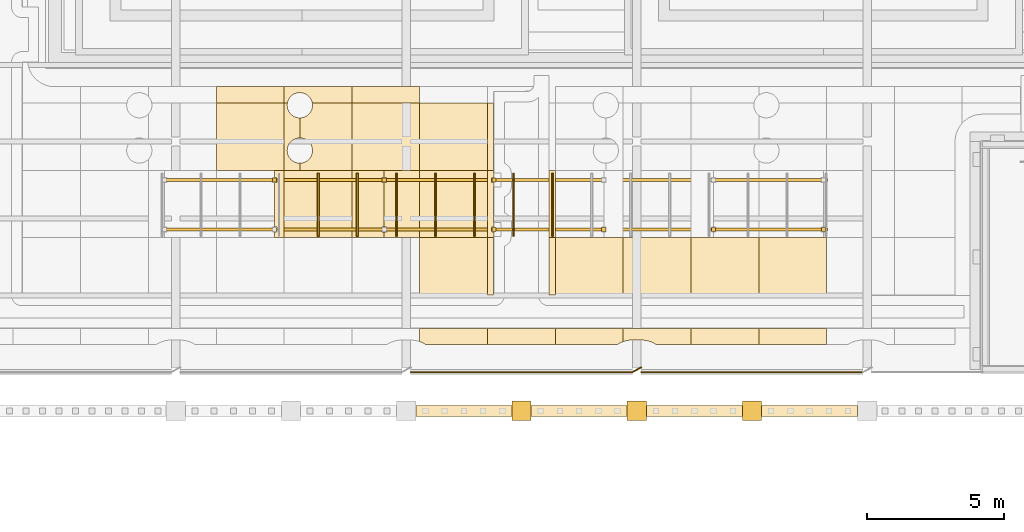
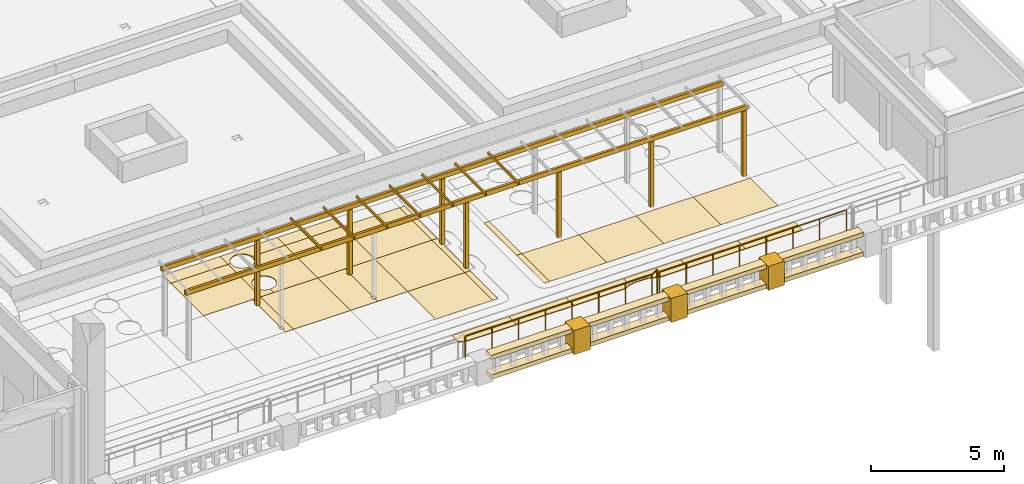
# One storey, part 70 of 76: 56 coverings, 3 railings.
"""IFC4 building model written with IfcOpenShell, lengths in metres."""

from ifc_helpers import new_model, si_unit, direction, frame, origin, origin_2d, place, context, subcontext, project, spatial, polyline, rectangle, circle, outline, extrude, material, layer, layer_set, type_object, element, save


model = new_model("IFC4")

# Units and contexts
model_context = context("Model", 3, precision=1e-05, world=origin(), true_north=direction((0.0, 1.0)))
body_context = subcontext(model_context, "Body", "Model", "MODEL_VIEW")
ifc_project = project(units=[si_unit("LENGTHUNIT", "METRE"), si_unit("AREAUNIT", "SQUARE_METRE"), si_unit("VOLUMEUNIT", "CUBIC_METRE"), si_unit("PLANEANGLEUNIT", "RADIAN"), si_unit("MASSUNIT", "GRAM", prefix="KILO")], contexts=[model_context])

# Site, building, storey
site_placement = place(None, origin())
site = spatial("IfcSite", under=ifc_project, at=site_placement, CompositionType="ELEMENT")
building_placement = place(site_placement, origin())
building = spatial("IfcBuilding", under=site, at=building_placement, Name="Sava Quay Ferry Terminal", CompositionType="ELEMENT")
storey_placement = place(building_placement, frame((0.0, 0.0, 6.0)))
storey = spatial("IfcBuildingStorey", under=building, at=storey_placement, Name="L01", CompositionType="ELEMENT", Elevation=6.0)

# Coverings
ifc_material_1 = material(Name="Limestone Mutalj", Category="masonry")
ifc_layer_1 = layer(ifc_material_1, 0.699951171875)
ifc_layer_set_1 = layer_set([ifc_layer_1], Name="Limestone Mutalj")
covering_type_1 = type_object("IfcCoveringType", Name="Balustrade pier 700", PredefinedType="MOLDING", material=ifc_layer_set_1)
for number, where, z_axis, x_axis, name in (
    (1, (147.0, 23.7900390625, 0.0), (0.0, 0.0, 1.0), (1.0, 0.0, 0.0), "Balustrade pier"),
    (2, (151.199951171875, 23.7900390625, 0.0), (0.0, 0.0, 1.0), (1.0, 0.0, 0.0), "Balustrade pier"),
    (3, (155.39990234375, 23.7900390625, 0.0), (0.0, 0.0, 1.0), (1.0, 0.0, 0.0), "Balustrade pier"),
):
    element("IfcCovering", number, at=place(storey_placement, frame(where, z_axis=z_axis, x_axis=x_axis)), inside=storey, type_object=covering_type_1, Name=name, PredefinedType="MOLDING", context=body_context, shape_type="SweptSolid", body=[
        extrude(rectangle(XDim=0.699951171875, YDim=0.699951171875, at=origin_2d()), origin(), (0.0, 0.0, 1.0), 1.10009765625),
    ])
ifc_material_2 = material(Name="Limestone Mutalj", Category="masonry")
ifc_layer_2 = layer(ifc_material_2, 0.39990234375)
ifc_layer_set_2 = layer_set([ifc_layer_2], Name="Limestone Mutalj")
covering_type_2 = type_object("IfcCoveringType", Name="Balustrade rail 400", PredefinedType="MOLDING", material=ifc_layer_set_2)
for number, where, z_axis, x_axis, name in (
    (4, (144.89990234375, 23.7900390625, 0.0), (0.0, 0.0, 1.0), (1.0, 0.0, 0.0), "Balustrade rail"),
    (5, (144.89990234375, 23.7900390625, 0.89990234375), (0.0, 0.0, 1.0), (1.0, 0.0, 0.0), "Balustrade rail"),
    (6, (149.10009765625, 23.7900390625, 0.0), (0.0, 0.0, 1.0), (1.0, 0.0, 0.0), "Balustrade rail"),
    (7, (149.10009765625, 23.7900390625, 0.89990234375), (0.0, 0.0, 1.0), (1.0, 0.0, 0.0), "Balustrade rail"),
    (8, (153.300048828125, 23.7900390625, 0.0), (0.0, 0.0, 1.0), (1.0, 0.0, 0.0), "Balustrade rail"),
    (9, (153.300048828125, 23.7900390625, 0.89990234375), (0.0, 0.0, 1.0), (1.0, 0.0, 0.0), "Balustrade rail"),
    (10, (157.5, 23.7900390625, 0.0), (0.0, 0.0, 1.0), (1.0, 0.0, 0.0), "Balustrade rail"),
    (11, (157.5, 23.7900390625, 0.89990234375), (0.0, 0.0, 1.0), (1.0, 0.0, 0.0), "Balustrade rail"),
):
    element("IfcCovering", number, at=place(storey_placement, frame(where, z_axis=z_axis, x_axis=x_axis)), inside=storey, type_object=covering_type_2, Name=name, PredefinedType="MOLDING", context=body_context, shape_type="SweptSolid", body=[
        extrude(rectangle(XDim=3.5, YDim=0.39990234375, at=origin_2d()), origin(), (0.0, 0.0, 1.0), 0.199951171875),
    ])
ifc_material_3 = material(Name="Limestone Mutalj", Category="masonry")
ifc_layer_3 = layer(ifc_material_3, 0.030029296875)
ifc_layer_set_3 = layer_set([ifc_layer_3], Name="Limestone Mutalj")
covering_type_3 = type_object("IfcCoveringType", Name="Court paving tile 30", PredefinedType="FLOORING", material=ifc_layer_set_3)
covering_1_placement = place(storey_placement, origin())
element("IfcCovering", 12, at=covering_1_placement, inside=storey, type_object=covering_type_3, Name="Limestone paving tile", PredefinedType="FLOORING", context=body_context, shape_type="SweptSolid", body=[
    extrude(outline(polyline([(138.35302734375, 32.550048828125), (138.0, 32.550048828125), (138.0, 32.284912109375), (138.075927734375, 32.284912109375), (138.0810546875, 32.282958984375), (138.083984375, 32.280029296875), (138.0849609375, 32.27490234375), (138.0849609375, 32.125), (138.0830078125, 32.118896484375), (138.075927734375, 32.114990234375), (138.0, 32.114990234375), (138.0, 30.485107421875), (138.075927734375, 30.485107421875), (138.0810546875, 30.48291015625), (138.083984375, 30.47998046875), (138.0849609375, 30.47509765625), (138.0849609375, 30.324951171875), (138.0830078125, 30.319091796875), (138.075927734375, 30.31494140625), (138.0, 30.31494140625), (138.0, 30.10009765625), (138.35302734375, 30.10009765625), (138.35302734375, 32.550048828125)])), origin(), (0.0, 0.0, 1.0), 0.030029296875),
])
covering_2_placement = place(storey_placement, origin())
element("IfcCovering", 13, at=covering_2_placement, inside=storey, type_object=covering_type_3, Name="Limestone paving tile", PredefinedType="FLOORING", context=body_context, shape_type="SweptSolid", body=[
    extrude(outline(polyline([(138.35302734375, 35.0), (138.35302734375, 35.60009765625), (135.882080078125, 35.60009765625), (135.882080078125, 35.0), (138.35302734375, 35.0)])), origin(), (0.0, 0.0, 1.0), 0.030029296875),
])
covering_3_placement = place(storey_placement, origin())
element("IfcCovering", 14, at=covering_3_placement, inside=storey, type_object=covering_type_3, Name="Limestone paving tile", PredefinedType="FLOORING", context=body_context, shape_type="SweptSolid", body=[
    extrude(outline(polyline([(138.35302734375, 32.550048828125), (138.925048828125, 32.550048828125), (138.925048828125, 32.81494140625), (138.87890625, 32.81689453125), (138.8349609375, 32.823974609375), (138.791015625, 32.8349609375), (138.7490234375, 32.85009765625), (138.7080078125, 32.8701171875), (138.6689453125, 32.89306640625), (138.633056640625, 32.919921875), (138.59912109375, 32.949951171875), (138.569091796875, 32.98388671875), (138.5419921875, 33.02001953125), (138.51904296875, 33.05908203125), (138.5, 33.09912109375), (138.485107421875, 33.14208984375), (138.47412109375, 33.18603515625), (138.467041015625, 33.22998046875), (138.465087890625, 33.27490234375), (138.467041015625, 33.321044921875), (138.47412109375, 33.364990234375), (138.485107421875, 33.408935546875), (138.5, 33.450927734375), (138.52001953125, 33.491943359375), (138.54296875, 33.531005859375), (138.570068359375, 33.56689453125), (138.60009765625, 33.60107421875), (138.634033203125, 33.631103515625), (138.669921875, 33.657958984375), (138.708984375, 33.680908203125), (138.7490234375, 33.699951171875), (138.7919921875, 33.715087890625), (138.8359375, 33.72607421875), (138.8798828125, 33.73291015625), (138.925048828125, 33.735107421875), (138.925048828125, 34.465087890625), (138.87890625, 34.467041015625), (138.8349609375, 34.47412109375), (138.791015625, 34.485107421875), (138.7490234375, 34.5), (138.7080078125, 34.52001953125), (138.6689453125, 34.54296875), (138.634033203125, 34.569091796875), (138.60009765625, 34.59912109375), (138.570068359375, 34.633056640625), (138.54296875, 34.6689453125), (138.51904296875, 34.708984375), (138.5, 34.7490234375), (138.485107421875, 34.7919921875), (138.47412109375, 34.8359375), (138.467041015625, 34.8798828125), (138.465087890625, 34.925048828125), (138.467041015625, 34.969970703125), (138.471923828125, 35.0), (138.35302734375, 35.0), (138.35302734375, 32.550048828125)])), origin(), (0.0, 0.0, 1.0), 0.030029296875),
])
covering_4_placement = place(storey_placement, origin())
element("IfcCovering", 15, at=covering_4_placement, inside=storey, type_object=covering_type_3, Name="Limestone paving tile", PredefinedType="FLOORING", context=body_context, shape_type="SweptSolid", body=[
    extrude(outline(polyline([(140.823974609375, 32.550048828125), (140.823974609375, 35.0), (139.3779296875, 35.0), (139.383056640625, 34.969970703125), (139.385009765625, 34.925048828125), (139.383056640625, 34.8798828125), (139.3759765625, 34.8359375), (139.364990234375, 34.7919921875), (139.35009765625, 34.7490234375), (139.3310546875, 34.708984375), (139.306884765625, 34.6689453125), (139.280029296875, 34.633056640625), (139.25, 34.59912109375), (139.216064453125, 34.569091796875), (139.180908203125, 34.54296875), (139.14208984375, 34.52001953125), (139.10107421875, 34.5), (139.05908203125, 34.485107421875), (139.014892578125, 34.47412109375), (138.970947265625, 34.467041015625), (138.925048828125, 34.465087890625), (138.925048828125, 33.735107421875), (138.970947265625, 33.73291015625), (139.014892578125, 33.72607421875), (139.05908203125, 33.715087890625), (139.10107421875, 33.699951171875), (139.14208984375, 33.679931640625), (139.180908203125, 33.656982421875), (139.217041015625, 33.6298828125), (139.2509765625, 33.60009765625), (139.281005859375, 33.56591796875), (139.30810546875, 33.530029296875), (139.3310546875, 33.490966796875), (139.35009765625, 33.450927734375), (139.364990234375, 33.407958984375), (139.3759765625, 33.364013671875), (139.383056640625, 33.320068359375), (139.385009765625, 33.27490234375), (139.383056640625, 33.22900390625), (139.3759765625, 33.18505859375), (139.364990234375, 33.14111328125), (139.35009765625, 33.09912109375), (139.330078125, 33.05810546875), (139.306884765625, 33.01904296875), (139.280029296875, 32.98291015625), (139.25, 32.948974609375), (139.216064453125, 32.9189453125), (139.179931640625, 32.89208984375), (139.14111328125, 32.868896484375), (139.10107421875, 32.85009765625), (139.05810546875, 32.8349609375), (139.013916015625, 32.823974609375), (138.969970703125, 32.81689453125), (138.925048828125, 32.81494140625), (138.925048828125, 32.550048828125), (140.823974609375, 32.550048828125)])), origin(), (0.0, 0.0, 1.0), 0.030029296875),
])
covering_5_placement = place(storey_placement, origin())
element("IfcCovering", 16, at=covering_5_placement, inside=storey, type_object=covering_type_3, Name="Limestone paving tile", PredefinedType="FLOORING", context=body_context, shape_type="SweptSolid", body=[
    extrude(outline(polyline([(140.823974609375, 32.550048828125), (140.823974609375, 30.10009765625), (142.0, 30.10009765625), (142.0, 30.31494140625), (141.924072265625, 30.31494140625), (141.9189453125, 30.31689453125), (141.916015625, 30.320068359375), (141.9150390625, 30.324951171875), (141.9150390625, 30.47509765625), (141.9169921875, 30.48095703125), (141.924072265625, 30.485107421875), (142.0, 30.485107421875), (142.0, 32.114990234375), (141.924072265625, 32.114990234375), (141.9189453125, 32.116943359375), (141.916015625, 32.1201171875), (141.9150390625, 32.125), (141.9150390625, 32.27490234375), (141.9169921875, 32.281005859375), (141.924072265625, 32.284912109375), (142.0, 32.284912109375), (142.0, 32.550048828125), (140.823974609375, 32.550048828125)])), origin(), (0.0, 0.0, 1.0), 0.030029296875),
])
covering_6_placement = place(storey_placement, origin())
element("IfcCovering", 17, at=covering_6_placement, inside=storey, type_object=covering_type_3, Name="Limestone paving tile", PredefinedType="FLOORING", context=body_context, shape_type="SweptSolid", body=[
    extrude(outline(polyline([(143.2939453125, 32.550048828125), (142.0, 32.550048828125), (142.0, 32.284912109375), (142.075927734375, 32.284912109375), (142.0810546875, 32.282958984375), (142.083984375, 32.280029296875), (142.0849609375, 32.27490234375), (142.0849609375, 32.125), (142.0830078125, 32.118896484375), (142.075927734375, 32.114990234375), (142.0, 32.114990234375), (142.0, 30.485107421875), (142.075927734375, 30.485107421875), (142.0810546875, 30.48291015625), (142.083984375, 30.47998046875), (142.0849609375, 30.47509765625), (142.0849609375, 30.324951171875), (142.0830078125, 30.319091796875), (142.075927734375, 30.31494140625), (142.0, 30.31494140625), (142.0, 30.10009765625), (143.2939453125, 30.10009765625), (143.2939453125, 32.550048828125)])), origin(), (0.0, 0.0, 1.0), 0.030029296875),
])
covering_7_placement = place(storey_placement, origin())
element("IfcCovering", 18, at=covering_7_placement, inside=storey, type_object=covering_type_3, Name="Limestone paving tile", PredefinedType="FLOORING", context=body_context, shape_type="SweptSolid", body=[
    extrude(outline(polyline([(143.2939453125, 35.0), (143.2939453125, 35.60009765625), (140.823974609375, 35.60009765625), (140.823974609375, 35.0), (143.2939453125, 35.0)])), origin(), (0.0, 0.0, 1.0), 0.030029296875),
])
covering_8_placement = place(storey_placement, origin())
element("IfcCovering", 19, at=covering_8_placement, inside=storey, type_object=covering_type_3, Name="Limestone paving tile", PredefinedType="FLOORING", context=body_context, shape_type="SweptSolid", body=[
    extrude(outline(polyline([(143.2939453125, 30.10009765625), (143.2939453125, 28.010009765625), (145.764892578125, 28.010009765625), (145.764892578125, 30.10009765625), (143.2939453125, 30.10009765625)])), origin(), (0.0, 0.0, 1.0), 0.030029296875),
])
covering_9_placement = place(storey_placement, origin())
element("IfcCovering", 20, at=covering_9_placement, inside=storey, type_object=covering_type_3, Name="Limestone paving tile", PredefinedType="FLOORING", context=body_context, shape_type="SweptSolid", body=[
    extrude(outline(polyline([(143.2939453125, 32.550048828125), (145.764892578125, 32.550048828125), (145.764892578125, 35.0), (143.2939453125, 35.0), (143.2939453125, 32.550048828125)])), origin(), (0.0, 0.0, 1.0), 0.030029296875),
])
covering_10_placement = place(storey_placement, origin())
element("IfcCovering", 21, at=covering_10_placement, inside=storey, type_object=covering_type_3, Name="Limestone paving tile", PredefinedType="FLOORING", context=body_context, shape_type="SweptSolid", body=[
    extrude(outline(polyline([(148.235107421875, 26.199951171875), (148.235107421875, 26.7900390625), (145.764892578125, 26.7900390625), (145.764892578125, 26.199951171875), (148.235107421875, 26.199951171875)])), origin(), (0.0, 0.0, 1.0), 0.030029296875),
])
covering_11_placement = place(storey_placement, origin())
element("IfcCovering", 22, at=covering_11_placement, inside=storey, type_object=covering_type_3, Name="Limestone paving tile", PredefinedType="FLOORING", context=body_context, shape_type="SweptSolid", body=[
    extrude(outline(polyline([(148.235107421875, 32.550048828125), (148.010009765625, 32.550048828125), (148.010009765625, 30.10009765625), (148.235107421875, 30.10009765625), (148.235107421875, 32.550048828125)])), origin(), (0.0, 0.0, 1.0), 0.030029296875),
])
covering_12_placement = place(storey_placement, origin())
element("IfcCovering", 23, at=covering_12_placement, inside=storey, type_object=covering_type_3, Name="Limestone paving tile", PredefinedType="FLOORING", context=body_context, shape_type="SweptSolid", body=[
    extrude(outline(polyline([(145.764892578125, 32.550048828125), (145.764892578125, 30.10009765625), (145.989990234375, 30.10009765625), (145.989990234375, 30.152099609375), (145.993896484375, 30.157958984375), (146.0, 30.159912109375), (146.0, 30.31494140625), (145.924072265625, 30.31494140625), (145.9189453125, 30.31689453125), (145.916015625, 30.320068359375), (145.9150390625, 30.324951171875), (145.9150390625, 30.47509765625), (145.9169921875, 30.48095703125), (145.924072265625, 30.485107421875), (146.0, 30.485107421875), (146.0, 30.639892578125), (145.992919921875, 30.64306640625), (145.989990234375, 30.64990234375), (145.989990234375, 31.949951171875), (145.992919921875, 31.95703125), (146.0, 31.9599609375), (146.0, 32.114990234375), (145.924072265625, 32.114990234375), (145.9189453125, 32.116943359375), (145.916015625, 32.1201171875), (145.9150390625, 32.125), (145.9150390625, 32.27490234375), (145.9169921875, 32.281005859375), (145.924072265625, 32.284912109375), (146.0, 32.284912109375), (146.0, 32.43994140625), (145.993896484375, 32.44189453125), (145.989990234375, 32.448974609375), (145.989990234375, 32.550048828125), (145.764892578125, 32.550048828125)])), origin(), (0.0, 0.0, 1.0), 0.030029296875),
])
covering_13_placement = place(storey_placement, origin())
element("IfcCovering", 24, at=covering_13_placement, inside=storey, type_object=covering_type_3, Name="Limestone paving tile", PredefinedType="FLOORING", context=body_context, shape_type="SweptSolid", body=[
    extrude(outline(polyline([(148.235107421875, 30.10009765625), (148.235107421875, 28.010009765625), (150.7060546875, 28.010009765625), (150.7060546875, 30.10009765625), (148.235107421875, 30.10009765625)])), origin(), (0.0, 0.0, 1.0), 0.030029296875),
])
covering_14_placement = place(storey_placement, origin())
element("IfcCovering", 25, at=covering_14_placement, inside=storey, type_object=covering_type_3, Name="Limestone paving tile", PredefinedType="FLOORING", context=body_context, shape_type="SweptSolid", body=[
    extrude(outline(polyline([(153.176025390625, 26.199951171875), (153.176025390625, 26.7900390625), (150.7060546875, 26.7900390625), (150.7060546875, 26.31103515625), (150.75, 26.326904296875), (150.844970703125, 26.35107421875), (150.94189453125, 26.364990234375), (151.0400390625, 26.3701171875), (151.360107421875, 26.3701171875), (151.4580078125, 26.364990234375), (151.554931640625, 26.35107421875), (151.64990234375, 26.326904296875), (151.742919921875, 26.2939453125), (151.8310546875, 26.251953125), (151.91796875, 26.199951171875), (153.176025390625, 26.199951171875)])), origin(), (0.0, 0.0, 1.0), 0.030029296875),
])
covering_15_placement = place(storey_placement, origin())
element("IfcCovering", 26, at=covering_15_placement, inside=storey, type_object=covering_type_3, Name="Limestone paving tile", PredefinedType="FLOORING", context=body_context, shape_type="SweptSolid", body=[
    extrude(outline(polyline([(153.176025390625, 30.10009765625), (153.176025390625, 28.010009765625), (155.64697265625, 28.010009765625), (155.64697265625, 30.10009765625), (153.176025390625, 30.10009765625)])), origin(), (0.0, 0.0, 1.0), 0.030029296875),
])
covering_16_placement = place(storey_placement, origin())
element("IfcCovering", 27, at=covering_16_placement, inside=storey, type_object=covering_type_3, Name="Limestone paving tile", PredefinedType="FLOORING", context=body_context, shape_type="SweptSolid", body=[
    extrude(outline(polyline([(158.117919921875, 26.199951171875), (158.117919921875, 26.7900390625), (155.64697265625, 26.7900390625), (155.64697265625, 26.199951171875), (158.117919921875, 26.199951171875)])), origin(), (0.0, 0.0, 1.0), 0.030029296875),
])
ifc_material_4 = material(Name="Red sandstone Vrsac", Category="masonry")
ifc_layer_4 = layer(ifc_material_4, 0.030029296875)
ifc_layer_set_4 = layer_set([ifc_layer_4], Name="Red sandstone Vrsac")
covering_type_4 = type_object("IfcCoveringType", Name="Court paving tile sandstone 30", PredefinedType="FLOORING", material=ifc_layer_set_4)
covering_17_placement = place(storey_placement, origin())
element("IfcCovering", 28, at=covering_17_placement, inside=storey, type_object=covering_type_4, Name="Sandstone paving tile", PredefinedType="FLOORING", context=body_context, shape_type="SweptSolid", body=[
    extrude(outline(polyline([(135.882080078125, 32.550048828125), (138.35302734375, 32.550048828125), (138.35302734375, 35.0), (135.882080078125, 35.0), (135.882080078125, 32.550048828125)])), origin(), (0.0, 0.0, 1.0), 0.030029296875),
])
covering_18_placement = place(storey_placement, origin())
element("IfcCovering", 29, at=covering_18_placement, inside=storey, type_object=covering_type_4, Name="Sandstone paving tile", PredefinedType="FLOORING", context=body_context, shape_type="SweptSolid", body=[
    extrude(outline(polyline([(138.35302734375, 30.10009765625), (140.823974609375, 30.10009765625), (140.823974609375, 32.550048828125), (138.35302734375, 32.550048828125), (138.35302734375, 30.10009765625)])), origin(), (0.0, 0.0, 1.0), 0.030029296875),
])
covering_19_placement = place(storey_placement, origin())
element("IfcCovering", 30, at=covering_19_placement, inside=storey, type_object=covering_type_4, Name="Sandstone paving tile", PredefinedType="FLOORING", context=body_context, shape_type="SweptSolid", body=[
    extrude(outline(polyline([(140.823974609375, 35.0), (140.823974609375, 35.60009765625), (138.35302734375, 35.60009765625), (138.35302734375, 35.0), (138.471923828125, 35.0), (138.47412109375, 35.014892578125), (138.485107421875, 35.05810546875), (138.5, 35.10107421875), (138.51904296875, 35.14111328125), (138.5419921875, 35.179931640625), (138.569091796875, 35.216064453125), (138.59912109375, 35.25), (138.633056640625, 35.280029296875), (138.6689453125, 35.306884765625), (138.7080078125, 35.330078125), (138.7490234375, 35.35009765625), (138.7919921875, 35.364990234375), (138.8349609375, 35.3759765625), (138.87890625, 35.383056640625), (138.925048828125, 35.385009765625), (138.970947265625, 35.383056640625), (139.014892578125, 35.3759765625), (139.05810546875, 35.364990234375), (139.10107421875, 35.35009765625), (139.14111328125, 35.3310546875), (139.179931640625, 35.30810546875), (139.217041015625, 35.280029296875), (139.2509765625, 35.25), (139.281005859375, 35.216064453125), (139.306884765625, 35.180908203125), (139.330078125, 35.14208984375), (139.35009765625, 35.10107421875), (139.364990234375, 35.05908203125), (139.3759765625, 35.014892578125), (139.3779296875, 35.0), (140.823974609375, 35.0)])), origin(), (0.0, 0.0, 1.0), 0.030029296875),
])
covering_20_placement = place(storey_placement, origin())
element("IfcCovering", 31, at=covering_20_placement, inside=storey, type_object=covering_type_4, Name="Sandstone paving tile", PredefinedType="FLOORING", context=body_context, shape_type="SweptSolid", body=[
    extrude(outline(polyline([(140.823974609375, 32.550048828125), (143.2939453125, 32.550048828125), (143.2939453125, 35.0), (140.823974609375, 35.0), (140.823974609375, 32.550048828125)])), origin(), (0.0, 0.0, 1.0), 0.030029296875),
])
covering_21_placement = place(storey_placement, origin())
element("IfcCovering", 32, at=covering_21_placement, inside=storey, type_object=covering_type_4, Name="Sandstone paving tile", PredefinedType="FLOORING", context=body_context, shape_type="SweptSolid", body=[
    extrude(outline(polyline([(145.764892578125, 26.199951171875), (145.764892578125, 26.7900390625), (143.2939453125, 26.7900390625), (143.2939453125, 26.31103515625), (143.343017578125, 26.2939453125), (143.430908203125, 26.251953125), (143.51806640625, 26.199951171875), (145.764892578125, 26.199951171875)])), origin(), (0.0, 0.0, 1.0), 0.030029296875),
])
covering_22_placement = place(storey_placement, origin())
element("IfcCovering", 33, at=covering_22_placement, inside=storey, type_object=covering_type_4, Name="Sandstone paving tile", PredefinedType="FLOORING", context=body_context, shape_type="SweptSolid", body=[
    extrude(outline(polyline([(143.2939453125, 30.10009765625), (145.764892578125, 30.10009765625), (145.764892578125, 32.550048828125), (143.2939453125, 32.550048828125), (143.2939453125, 30.10009765625)])), origin(), (0.0, 0.0, 1.0), 0.030029296875),
])
covering_23_placement = place(storey_placement, origin())
element("IfcCovering", 34, at=covering_23_placement, inside=storey, type_object=covering_type_4, Name="Sandstone paving tile", PredefinedType="FLOORING", context=body_context, shape_type="SweptSolid", body=[
    extrude(outline(polyline([(148.235107421875, 30.10009765625), (148.010009765625, 30.10009765625), (148.010009765625, 28.010009765625), (148.235107421875, 28.010009765625), (148.235107421875, 30.10009765625)])), origin(), (0.0, 0.0, 1.0), 0.030029296875),
])
covering_24_placement = place(storey_placement, origin())
element("IfcCovering", 35, at=covering_24_placement, inside=storey, type_object=covering_type_4, Name="Sandstone paving tile", PredefinedType="FLOORING", context=body_context, shape_type="SweptSolid", body=[
    extrude(outline(polyline([(145.764892578125, 30.10009765625), (145.764892578125, 28.010009765625), (145.989990234375, 28.010009765625), (145.989990234375, 30.10009765625), (145.764892578125, 30.10009765625)])), origin(), (0.0, 0.0, 1.0), 0.030029296875),
])
covering_25_placement = place(storey_placement, origin())
element("IfcCovering", 36, at=covering_25_placement, inside=storey, type_object=covering_type_4, Name="Sandstone paving tile", PredefinedType="FLOORING", context=body_context, shape_type="SweptSolid", body=[
    extrude(outline(polyline([(145.764892578125, 32.550048828125), (145.989990234375, 32.550048828125), (145.989990234375, 35.0), (145.764892578125, 35.0), (145.764892578125, 32.550048828125)])), origin(), (0.0, 0.0, 1.0), 0.030029296875),
])
covering_26_placement = place(storey_placement, origin())
element("IfcCovering", 37, at=covering_26_placement, inside=storey, type_object=covering_type_4, Name="Sandstone paving tile", PredefinedType="FLOORING", context=body_context, shape_type="SweptSolid", body=[
    extrude(outline(polyline([(150.7060546875, 26.31103515625), (150.7060546875, 26.7900390625), (148.235107421875, 26.7900390625), (148.235107421875, 26.199951171875), (150.48193359375, 26.199951171875), (150.569091796875, 26.251953125), (150.656982421875, 26.2939453125), (150.7060546875, 26.31103515625)])), origin(), (0.0, 0.0, 1.0), 0.030029296875),
])
covering_27_placement = place(storey_placement, origin())
element("IfcCovering", 38, at=covering_27_placement, inside=storey, type_object=covering_type_4, Name="Sandstone paving tile", PredefinedType="FLOORING", context=body_context, shape_type="SweptSolid", body=[
    extrude(outline(polyline([(150.7060546875, 30.10009765625), (150.7060546875, 28.010009765625), (153.176025390625, 28.010009765625), (153.176025390625, 30.10009765625), (150.7060546875, 30.10009765625)])), origin(), (0.0, 0.0, 1.0), 0.030029296875),
])
covering_28_placement = place(storey_placement, origin())
element("IfcCovering", 39, at=covering_28_placement, inside=storey, type_object=covering_type_4, Name="Sandstone paving tile", PredefinedType="FLOORING", context=body_context, shape_type="SweptSolid", body=[
    extrude(outline(polyline([(155.64697265625, 26.199951171875), (155.64697265625, 26.7900390625), (153.176025390625, 26.7900390625), (153.176025390625, 26.199951171875), (155.64697265625, 26.199951171875)])), origin(), (0.0, 0.0, 1.0), 0.030029296875),
])
covering_29_placement = place(storey_placement, origin())
element("IfcCovering", 40, at=covering_29_placement, inside=storey, type_object=covering_type_4, Name="Sandstone paving tile", PredefinedType="FLOORING", context=body_context, shape_type="SweptSolid", body=[
    extrude(outline(polyline([(155.64697265625, 30.10009765625), (155.64697265625, 28.010009765625), (158.117919921875, 28.010009765625), (158.117919921875, 30.10009765625), (155.64697265625, 30.10009765625)])), origin(), (0.0, 0.0, 1.0), 0.030029296875),
])

# Railings
ifc_material_5 = material(Name="Steel S355", Category="steel")
railing_type = type_object("IfcRailingType", Name="Edge guard 1100", PredefinedType="GUARDRAIL", material=ifc_material_5)
railing_1_placement = place(storey_placement, frame((159.43994140625, 25.199951171875, 0.0)))
element("IfcRailing", 41, at=railing_1_placement, inside=storey, type_object=railing_type, Name="Terrace edge guard", PredefinedType="GUARDRAIL", context=body_context, shape_type="SweptSolid", body=[
    extrude(circle(Radius=0.02392578125, at=origin_2d()), frame((0.0, 0.0, 1.076171875), z_axis=(-1.0, 0.0, 0.0), x_axis=(0.0, -1.0, 0.0)), (0.0, 0.0, 1.0), 8.079833984375),
    extrude(circle(Radius=0.02099609375, at=origin_2d()), origin(), (0.0, 0.0, 1.0), 1.052001953125),
    extrude(circle(Radius=0.02099609375, at=origin_2d()), frame((-1.154296875, 0.0, 0.0)), (0.0, 0.0, 1.0), 1.052001953125),
    extrude(circle(Radius=0.02099609375, at=origin_2d()), frame((-2.30859375, 0.0, 0.0)), (0.0, 0.0, 1.0), 1.052001953125),
    extrude(circle(Radius=0.02099609375, at=origin_2d()), frame((-3.462890625, 0.0, 0.0)), (0.0, 0.0, 1.0), 1.052001953125),
    extrude(circle(Radius=0.02099609375, at=origin_2d()), frame((-4.616943359375, 0.0, 0.0)), (0.0, 0.0, 1.0), 1.052001953125),
    extrude(circle(Radius=0.02099609375, at=origin_2d()), frame((-5.771240234375, 0.0, 0.0)), (0.0, 0.0, 1.0), 1.052001953125),
    extrude(circle(Radius=0.02099609375, at=origin_2d()), frame((-6.925537109375, 0.0, 0.0)), (0.0, 0.0, 1.0), 1.052001953125),
    extrude(circle(Radius=0.02099609375, at=origin_2d()), frame((-8.079833984375, 0.0, 0.0)), (0.0, 0.0, 1.0), 1.052001953125),
])
railing_2_placement = place(storey_placement, frame((151.360107421875, 25.3701171875, 0.0)))
element("IfcRailing", 42, at=railing_2_placement, inside=storey, type_object=railing_type, Name="Terrace edge guard", PredefinedType="GUARDRAIL", context=body_context, shape_type="SweptSolid", body=[
    extrude(circle(Radius=0.02392578125, at=origin_2d()), frame((0.0, 0.0, 1.076171875), z_axis=(-0.882967432059, -0.469434248776, 0.0), x_axis=(0.469434248776, -0.882967432059, 0.0)), (0.0, 0.0, 1.0), 0.362548828125),
    extrude(circle(Radius=0.02099609375, at=origin_2d()), origin(), (0.0, 0.0, 1.0), 1.052001953125),
    extrude(circle(Radius=0.02099609375, at=origin_2d()), frame((-0.320068359375, -0.170166015625, 0.0)), (0.0, 0.0, 1.0), 1.052001953125),
])
railing_3_placement = place(storey_placement, frame((151.0400390625, 25.199951171875, 0.0)))
element("IfcRailing", 43, at=railing_3_placement, inside=storey, type_object=railing_type, Name="Terrace edge guard", PredefinedType="GUARDRAIL", context=body_context, shape_type="SweptSolid", body=[
    extrude(circle(Radius=0.02392578125, at=origin_2d()), frame((0.0, 0.0, 1.076171875), z_axis=(-1.0, 0.0, 0.0), x_axis=(0.0, -1.0, 0.0)), (0.0, 0.0, 1.0), 8.080078125),
    extrude(circle(Radius=0.02099609375, at=origin_2d()), origin(), (0.0, 0.0, 1.0), 1.052001953125),
    extrude(circle(Radius=0.02099609375, at=origin_2d()), frame((-1.154296875, 0.0, 0.0)), (0.0, 0.0, 1.0), 1.052001953125),
    extrude(circle(Radius=0.02099609375, at=origin_2d()), frame((-2.30859375, 0.0, 0.0)), (0.0, 0.0, 1.0), 1.052001953125),
    extrude(circle(Radius=0.02099609375, at=origin_2d()), frame((-3.462890625, 0.0, 0.0)), (0.0, 0.0, 1.0), 1.052001953125),
    extrude(circle(Radius=0.02099609375, at=origin_2d()), frame((-4.6171875, 0.0, 0.0)), (0.0, 0.0, 1.0), 1.052001953125),
    extrude(circle(Radius=0.02099609375, at=origin_2d()), frame((-5.771484375, 0.0, 0.0)), (0.0, 0.0, 1.0), 1.052001953125),
    extrude(circle(Radius=0.02099609375, at=origin_2d()), frame((-6.92578125, 0.0, 0.0)), (0.0, 0.0, 1.0), 1.052001953125),
    extrude(circle(Radius=0.02099609375, at=origin_2d()), frame((-8.080078125, 0.0, 0.0)), (0.0, 0.0, 1.0), 1.052001953125),
])

# Coverings
ifc_material_6 = material(Name="Glulam GL28h", Category="wood")
ifc_layer_5 = layer(ifc_material_6, 0.10009765625)
ifc_layer_set_5 = layer_set([ifc_layer_5], Name="Glulam GL28h")
covering_type_5 = type_object("IfcCoveringType", Name="Pergola walk beam 100x200", PredefinedType="CLADDING", material=ifc_layer_set_5)
for number, where, z_axis, x_axis, name in (
    (44, (146.0, 30.39990234375, 3.0), (0.0, 0.0, 1.0), (1.0, 0.0, 0.0), "Pergola walk beam"),
    (45, (146.0, 32.199951171875, 3.0), (0.0, 0.0, 1.0), (1.0, 0.0, 0.0), "Pergola walk beam"),
):
    element("IfcCovering", number, at=place(storey_placement, frame(where, z_axis=z_axis, x_axis=x_axis)), inside=storey, type_object=covering_type_5, Name=name, PredefinedType="CLADDING", context=body_context, shape_type="SweptSolid", body=[
        extrude(rectangle(XDim=24.300048828125, YDim=0.10009765625, at=origin_2d()), origin(), (0.0, 0.0, 1.0), 0.199951171875),
    ])
ifc_material_7 = material(Name="Glulam GL28h", Category="wood")
ifc_layer_6 = layer(ifc_material_7, 0.14990234375)
ifc_layer_set_6 = layer_set([ifc_layer_6], Name="Glulam GL28h")
covering_type_6 = type_object("IfcCoveringType", Name="Pergola walk post 150", PredefinedType="CLADDING", material=ifc_layer_set_6)
for number, where, z_axis, x_axis, name in (
    (46, (146.0, 30.39990234375, 0.0), (0.0, 0.0, 1.0), (1.0, 0.0, 0.0), "Pergola walk post"),
    (47, (150.0, 30.39990234375, 0.0), (0.0, 0.0, 1.0), (1.0, 0.0, 0.0), "Pergola walk post"),
    (48, (154.0, 30.39990234375, 0.0), (0.0, 0.0, 1.0), (1.0, 0.0, 0.0), "Pergola walk post"),
    (49, (158.0, 30.39990234375, 0.0), (0.0, 0.0, 1.0), (1.0, 0.0, 0.0), "Pergola walk post"),
    (50, (138.0, 32.199951171875, 0.0), (0.0, 0.0, 1.0), (1.0, 0.0, 0.0), "Pergola walk post"),
    (51, (142.0, 32.199951171875, 0.0), (0.0, 0.0, 1.0), (1.0, 0.0, 0.0), "Pergola walk post"),
    (52, (146.0, 32.199951171875, 0.0), (0.0, 0.0, 1.0), (1.0, 0.0, 0.0), "Pergola walk post"),
):
    element("IfcCovering", number, at=place(storey_placement, frame(where, z_axis=z_axis, x_axis=x_axis)), inside=storey, type_object=covering_type_6, Name=name, PredefinedType="CLADDING", context=body_context, shape_type="SweptSolid", body=[
        extrude(rectangle(XDim=0.14990234375, YDim=0.14990234375, at=origin_2d()), origin(), (0.0, 0.0, 1.0), 3.0),
    ])
ifc_material_8 = material(Name="Glulam GL28h", Category="wood")
ifc_layer_7 = layer(ifc_material_8, 0.06005859375)
ifc_layer_set_7 = layer_set([ifc_layer_7], Name="Glulam GL28h")
covering_type_7 = type_object("IfcCoveringType", Name="Pergola walk rafter 60x100", PredefinedType="CLADDING", material=ifc_layer_set_7)
for number, where, z_axis, x_axis, name in (
    (53, (139.593994140625, 31.300048828125, 3.199951171875), (0.0, 0.0, 1.0), (1.0, 0.0, 0.0), "Pergola walk rafter"),
    (54, (141.017578125, 31.300048828125, 3.199951171875), (0.0, 0.0, 1.0), (1.0, 0.0, 0.0), "Pergola walk rafter"),
    (55, (142.441162109375, 31.300048828125, 3.199951171875), (0.0, 0.0, 1.0), (1.0, 0.0, 0.0), "Pergola walk rafter"),
    (56, (143.86474609375, 31.300048828125, 3.199951171875), (0.0, 0.0, 1.0), (1.0, 0.0, 0.0), "Pergola walk rafter"),
    (57, (145.2880859375, 31.300048828125, 3.199951171875), (0.0, 0.0, 1.0), (1.0, 0.0, 0.0), "Pergola walk rafter"),
    (58, (146.7119140625, 31.300048828125, 3.199951171875), (0.0, 0.0, 1.0), (1.0, 0.0, 0.0), "Pergola walk rafter"),
    (59, (148.13525390625, 31.300048828125, 3.199951171875), (0.0, 0.0, 1.0), (1.0, 0.0, 0.0), "Pergola walk rafter"),
):
    element("IfcCovering", number, at=place(storey_placement, frame(where, z_axis=z_axis, x_axis=x_axis)), inside=storey, type_object=covering_type_7, Name=name, PredefinedType="CLADDING", context=body_context, shape_type="SweptSolid", body=[
        extrude(rectangle(XDim=0.06005859375, YDim=2.300048828125, at=origin_2d()), origin(), (0.0, 0.0, 1.0), 0.10009765625),
    ])

save(model, "model.ifc")
